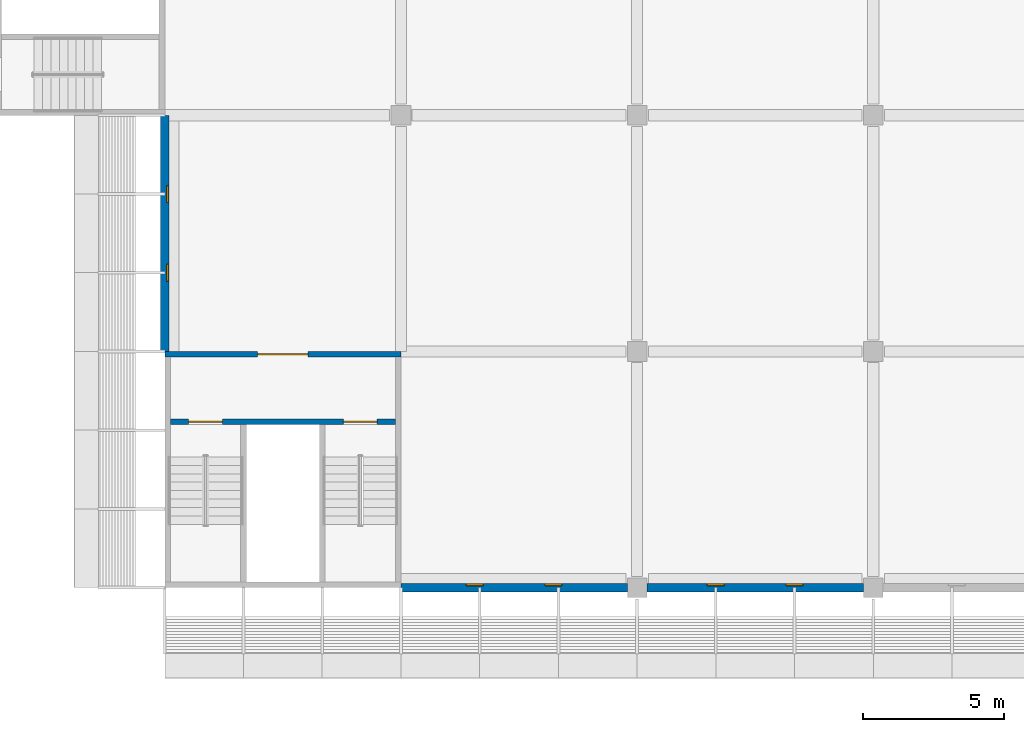
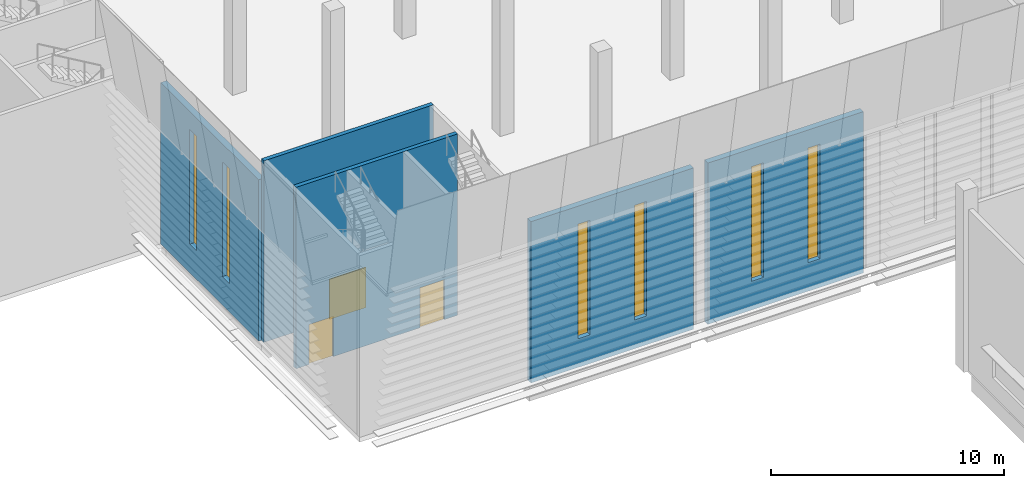
# One storey, part 45 of 114: 6 windows, 5 walls, 3 doors, 9 openings.
"""IFC4 building model written with IfcOpenShell, lengths in metres."""

import ifcopenshell
import ifcopenshell.guid

model = None  # the IFC model being written
_history = None  # IfcOwnerHistory: only IFC2X3 demands one
_inside = {}  # id of a spatial element -> (the spatial element, [elements in it])
_under = {}  # id of a project, library or spatial element -> (it, [spatial elements below it])
_declared = {}  # id of a project -> (the project, [libraries it declares])
_typed = {}  # id of a type object -> (the type object, [elements of that type])
_made_of = {}  # id of a material, layer set ... -> (it, [elements and type objects made of it])


def new_model(schema):
    """Start an empty IFC model of exactly this schema.

    Asked for "IFC4X3", IfcOpenShell would pick the latest addendum, in which some entities
    have other attributes; the version numbers below select the first issue.
    IFC2X3 requires an IfcOwnerHistory on every rooted entity: one is made here for all.
    """
    global model, _history
    if schema == "IFC4X3":
        model = ifcopenshell.file(schema_version=(4, 3, 0, 0))
    else:
        model = ifcopenshell.file(schema=schema)
    _inside.clear()
    _under.clear()
    _declared.clear()
    _typed.clear()
    _made_of.clear()
    _history = None
    if model.schema == "IFC2X3":
        org = make("IfcOrganization", Name="unknown")
        user = make(
            "IfcPersonAndOrganization",
            ThePerson=make("IfcPerson", FamilyName="unknown"),
            TheOrganization=org,
        )
        app = make(
            "IfcApplication",
            ApplicationDeveloper=org,
            Version="unknown",
            ApplicationFullName="unknown",
            ApplicationIdentifier="unknown",
        )
        _history = make(
            "IfcOwnerHistory",
            OwningUser=user,
            OwningApplication=app,
            ChangeAction="ADDED",
            CreationDate=0,
        )
    return model


def make(cls, **values):
    """One entity of the class cls with the attributes given. An attribute that is None is left unset."""
    return model.create_entity(
        cls, **{name: value for name, value in values.items() if value is not None}
    )


def rooted(cls, **values):
    """An entity with a GlobalId (a new one), such as an element, a storey or a relation."""
    return make(cls, GlobalId=ifcopenshell.guid.new(), OwnerHistory=_history, **values)


def si_unit(unit_type, name, prefix=None):
    """IfcSIUnit, for example si_unit("LENGTHUNIT", "METRE", prefix="MILLI")."""
    return make("IfcSIUnit", UnitType=unit_type, Prefix=prefix, Name=name)


def assignment(units):
    """IfcUnitAssignment: the units of a project."""
    return None if units is None else make("IfcUnitAssignment", Units=units)


def point(xyz):
    """IfcCartesianPoint."""
    return None if xyz is None else make("IfcCartesianPoint", Coordinates=xyz)


def direction(xyz):
    """IfcDirection."""
    return None if xyz is None else make("IfcDirection", DirectionRatios=xyz)


def frame(location, z_axis=None, x_axis=None):
    """IfcAxis2Placement3D, a coordinate frame: its origin and axes. An axis left out is left unset."""
    return make(
        "IfcAxis2Placement3D",
        Location=point(location),
        Axis=direction(z_axis),
        RefDirection=direction(x_axis),
    )


def frame_2d(location, x_axis=None):
    """IfcAxis2Placement2D, a coordinate frame in the plane: its origin and x axis."""
    return make(
        "IfcAxis2Placement2D", Location=point(location), RefDirection=direction(x_axis)
    )


def origin():
    """The frame at (0, 0, 0) with its axes left unset."""
    return frame((0.0, 0.0, 0.0))


def place(relative_to, where):
    """IfcLocalPlacement: puts the frame where relative to a parent placement (None: the world)."""
    return make(
        "IfcLocalPlacement", PlacementRelTo=relative_to, RelativePlacement=where
    )


def context(
    kind, dimensions, precision=None, world=None, true_north=None, identifier=None
):
    """IfcGeometricRepresentationContext, for example the 3D "Model" context."""
    return make(
        "IfcGeometricRepresentationContext",
        ContextIdentifier=identifier,
        ContextType=kind,
        CoordinateSpaceDimension=dimensions,
        Precision=precision,
        WorldCoordinateSystem=world,
        TrueNorth=true_north,
    )


def subcontext(parent, identifier, kind, view, scale=None):
    """IfcGeometricRepresentationSubContext, for example "Body" below "Model"."""
    return make(
        "IfcGeometricRepresentationSubContext",
        ContextIdentifier=identifier,
        ContextType=kind,
        ParentContext=parent,
        TargetScale=scale,
        TargetView=view,
    )


def project(units=None, contexts=None):
    """IfcProject with its units and contexts."""
    return rooted(
        "IfcProject",
        Name="project",
        RepresentationContexts=contexts,
        UnitsInContext=assignment(units),
    )


def spatial(cls, under=None, at=None, **own):
    """A site, building, storey or space (cls), placed at a placement, below another one or the project."""
    s = rooted(cls, ObjectPlacement=at, **own)
    if under is not None:
        _under.setdefault(under.id(), (under, []))[1].append(s)
    return s


def profile(cls, at=None, kind="AREA", **sizes):
    """A parametric profile (cls). Its sizes go by their IFC names, for example OverallWidth=200.0."""
    return make(cls, ProfileType=kind, Position=at, **sizes)


def rectangle(**sizes):
    """IfcRectangleProfileDef."""
    return profile("IfcRectangleProfileDef", **sizes)


def extrude(swept, where, along, depth):
    """IfcExtrudedAreaSolid: the profile swept, set in the frame where, extruded along a direction by depth."""
    return make(
        "IfcExtrudedAreaSolid",
        SweptArea=swept,
        Position=where,
        ExtrudedDirection=direction(along),
        Depth=depth,
    )


def shape(context_of_items, identifier, shape_type, items):
    """IfcShapeRepresentation: the items that make up one representation, for example the "Body"."""
    return make(
        "IfcShapeRepresentation",
        ContextOfItems=context_of_items,
        RepresentationIdentifier=identifier,
        RepresentationType=shape_type,
        Items=items,
    )


def material(Name=None, Category=None):
    """IfcMaterial."""
    return make("IfcMaterial", Name=Name, Category=Category)


def layer(
    of_material, thickness, ventilated=None, Name=None, Category=None, Priority=None
):
    """IfcMaterialLayer: one layer of a wall or slab, of a material (None: an air gap)."""
    return make(
        "IfcMaterialLayer",
        Material=of_material,
        LayerThickness=thickness,
        IsVentilated=ventilated,
        Name=Name,
        Category=Category,
        Priority=Priority,
    )


def layer_set(layers, Name=None):
    """IfcMaterialLayerSet."""
    return make("IfcMaterialLayerSet", MaterialLayers=layers, LayerSetName=Name)


def made_of(thing, what):
    """Note that an element or type object is made of a material, layer set ...; save() writes the relation."""
    if what is not None:
        _made_of.setdefault(what.id(), (what, []))[1].append(thing)
    return thing


def type_object(cls, material=None, **own):
    """A type object (cls), such as IfcWallType, which elements share."""
    return made_of(rooted(cls, **own), material)


def element(
    cls,
    number,
    at=None,
    inside=None,
    cuts=None,
    type_object=None,
    material=None,
    context=None,
    identifier="Body",
    shape_type=None,
    held_by="IfcProductDefinitionShape",
    body=None,
    shapes=None,
    **own,
):
    """One element of the class cls, such as IfcWall. Its Tag is "e" and its number.

    at: its placement. inside: the storey or other place that contains it. cuts: it is an
    opening in that element (IfcRelVoidsElement). A single representation is given by context,
    identifier, shape_type and body (its items); several are given by shapes. held_by: the class
    of the entity that holds the representations. save() writes the other relations.
    """
    e = rooted(cls, Tag="e%d" % number, ObjectPlacement=at, **own)
    if body is not None:
        shapes = [shape(context, identifier, shape_type, body)]
    if shapes is not None:
        e.Representation = make(held_by, Representations=shapes)
    if inside is not None:
        _inside.setdefault(inside.id(), (inside, []))[1].append(e)
    if cuts is not None:
        rooted(
            "IfcRelVoidsElement", RelatingBuildingElement=cuts, RelatedOpeningElement=e
        )
    if type_object is not None:
        _typed.setdefault(type_object.id(), (type_object, []))[1].append(e)
    return made_of(e, material)


def fill(opening, filler):
    """IfcRelFillsElement: the door or window that sits in an opening."""
    return rooted(
        "IfcRelFillsElement",
        RelatingOpeningElement=opening,
        RelatedBuildingElement=filler,
    )


def aggregate(whole, parts):
    """IfcRelAggregates: a whole, such as a stair, and the parts it consists of."""
    return rooted("IfcRelAggregates", RelatingObject=whole, RelatedObjects=parts)


def save(model, path):
    """Write the relations noted so far, then the file.

    IfcRelAggregates (storeys below a building ...), IfcRelContainedInSpatialStructure (elements
    in a storey), IfcRelDefinesByType, IfcRelAssociatesMaterial and IfcRelDeclares: one each for
    every whole, place, type object, material and project.
    """
    for whole, parts in _under.values():
        aggregate(whole, parts)
    for where, things in _inside.values():
        rooted(
            "IfcRelContainedInSpatialStructure",
            RelatedElements=things,
            RelatingStructure=where,
        )
    for kind, things in _typed.values():
        rooted("IfcRelDefinesByType", RelatedObjects=things, RelatingType=kind)
    for what, things in _made_of.values():
        rooted("IfcRelAssociatesMaterial", RelatedObjects=things, RelatingMaterial=what)
    for by, libraries in _declared.values():
        rooted("IfcRelDeclares", RelatingContext=by, RelatedDefinitions=libraries)
    model.write(path)


model = new_model("IFC4")

# Units and contexts
model_context = context("Model", 3, precision=1e-05, world=origin(), true_north=direction((0.0, 1.0)))
body_context = subcontext(model_context, "Body", "Model", "MODEL_VIEW")
ifc_project = project(units=[si_unit("LENGTHUNIT", "METRE"), si_unit("AREAUNIT", "SQUARE_METRE"), si_unit("VOLUMEUNIT", "CUBIC_METRE"), si_unit("PLANEANGLEUNIT", "RADIAN"), si_unit("MASSUNIT", "GRAM", prefix="KILO")], contexts=[model_context])

# Site, building, storey
site_placement = place(None, origin())
site = spatial("IfcSite", under=ifc_project, at=site_placement, CompositionType="ELEMENT")
building_placement = place(site_placement, origin())
building = spatial("IfcBuilding", under=site, at=building_placement, Name="Almond Square Museum", CompositionType="ELEMENT")
storey_placement = place(building_placement, frame((0.0, 0.0, 10.5)))
storey = spatial("IfcBuildingStorey", under=building, at=storey_placement, Name="L02", CompositionType="ELEMENT", Elevation=10.5)

# Wall, openings, windows
ifc_material_1 = material(Name="Concrete C30/37", Category="concrete")
ifc_layer_1 = layer(ifc_material_1, 0.300048828125)
ifc_layer_set_1 = layer_set([ifc_layer_1], Name="Concrete C30/37")
wall_type_1 = type_object("IfcWallType", Name="Cast concrete wall 300 C30/37 behind louvre skin", PredefinedType="SOLIDWALL", material=ifc_layer_set_1)
wall_1_placement = place(storey_placement, frame((115.199951171875, 50.39990234375, 0.0), z_axis=(0.0, 0.0, 1.0), x_axis=(1.0, 0.0, 0.0)))
wall_1 = element("IfcWall", 1, at=wall_1_placement, inside=storey, type_object=wall_type_1, Name="External wall W1 V1 L02 S01", PredefinedType="SOLIDWALL", context=body_context, shape_type="SweptSolid", body=[
    extrude(rectangle(XDim=8.050048828125, YDim=0.300048828125, at=frame_2d((4.02490234375, 0.0))), origin(), (0.0, 0.0, 1.0), 8.43994140625),
])
opening_1_placement = place(wall_1_placement, frame((2.324951171875, 0.0, 1.5)))
opening_1 = element("IfcOpeningElement", 2, at=opening_1_placement, cuts=wall_1, Name="Opening W2075", PredefinedType="OPENING", context=body_context, shape_type="SweptSolid", body=[
    extrude(rectangle(XDim=0.60009765625, YDim=6.0, at=frame_2d((0.300048828125, 3.0))), frame((0.0, 0.159912109375, 0.0), z_axis=(0.0, -1.0, 0.0), x_axis=(1.0, 0.0, 0.0)), (0.0, 0.0, 1.0), 0.320068359375),
])
opening_2_placement = place(wall_1_placement, frame((5.125, 0.0, 1.5)))
opening_2 = element("IfcOpeningElement", 3, at=opening_2_placement, cuts=wall_1, Name="Opening W2076", PredefinedType="OPENING", context=body_context, shape_type="SweptSolid", body=[
    extrude(rectangle(XDim=0.60009765625, YDim=6.0, at=frame_2d((0.300048828125, 3.0))), frame((0.0, 0.159912109375, 0.0), z_axis=(0.0, -1.0, 0.0), x_axis=(1.0, 0.0, 0.0)), (0.0, 0.0, 1.0), 0.320068359375),
])
ifc_material_2 = material(Name="Anodised aluminium louvre and laminated glass", Category="aluminium")
window_type = type_object("IfcWindowType", Name="Tall slot window with storm louvre", PartitioningType="SINGLE_PANEL", PredefinedType="WINDOW", material=ifc_material_2)
window_1_placement = place(opening_1_placement, origin())
window_1 = element("IfcWindow", 4, at=window_1_placement, inside=storey, type_object=window_type, Name="Tall slot window with storm louvre W2075", OverallHeight=6.0, OverallWidth=0.60009765625, PartitioningType="SINGLE_PANEL", PredefinedType="WINDOW", context=body_context, shape_type="SweptSolid", body=[
    extrude(rectangle(XDim=0.60009765625, YDim=6.0, at=frame_2d((0.300048828125, 3.0))), frame((0.0, 0.130126953125, 0.0), z_axis=(0.0, -1.0, 0.0), x_axis=(1.0, 0.0, 0.0)), (0.0, 0.0, 1.0), 0.06005859375),
])
fill(opening_1, window_1)
window_2_placement = place(opening_2_placement, origin())
window_2 = element("IfcWindow", 5, at=window_2_placement, inside=storey, type_object=window_type, Name="Tall slot window with storm louvre W2076", OverallHeight=6.0, OverallWidth=0.60009765625, PartitioningType="SINGLE_PANEL", PredefinedType="WINDOW", context=body_context, shape_type="SweptSolid", body=[
    extrude(rectangle(XDim=0.60009765625, YDim=6.0, at=frame_2d((0.300048828125, 3.0))), frame((0.0, 0.130126953125, 0.0), z_axis=(0.0, -1.0, 0.0), x_axis=(1.0, 0.0, 0.0)), (0.0, 0.0, 1.0), 0.06005859375),
])
fill(opening_2, window_2)

wall_2_placement = place(storey_placement, frame((123.949951171875, 50.39990234375, 0.0), z_axis=(0.0, 0.0, 1.0), x_axis=(1.0, 0.0, 0.0)))
wall_2 = element("IfcWall", 6, at=wall_2_placement, inside=storey, type_object=wall_type_1, Name="External wall W1 V1 L02 S02", PredefinedType="SOLIDWALL", context=body_context, shape_type="SweptSolid", body=[
    extrude(rectangle(XDim=7.699951171875, YDim=0.300048828125, at=frame_2d((3.85009765625, 0.0))), origin(), (0.0, 0.0, 1.0), 8.43994140625),
])
opening_3_placement = place(wall_2_placement, frame((2.14990234375, 0.0, 1.5)))
opening_3 = element("IfcOpeningElement", 7, at=opening_3_placement, cuts=wall_2, Name="Opening W2077", PredefinedType="OPENING", context=body_context, shape_type="SweptSolid", body=[
    extrude(rectangle(XDim=0.60009765625, YDim=6.0, at=frame_2d((0.300048828125, 3.0))), frame((0.0, 0.159912109375, 0.0), z_axis=(0.0, -1.0, 0.0), x_axis=(1.0, 0.0, 0.0)), (0.0, 0.0, 1.0), 0.320068359375),
])
opening_4_placement = place(wall_2_placement, frame((4.949951171875, 0.0, 1.5)))
opening_4 = element("IfcOpeningElement", 8, at=opening_4_placement, cuts=wall_2, Name="Opening W2078", PredefinedType="OPENING", context=body_context, shape_type="SweptSolid", body=[
    extrude(rectangle(XDim=0.60009765625, YDim=6.0, at=frame_2d((0.300048828125, 3.0))), frame((0.0, 0.159912109375, 0.0), z_axis=(0.0, -1.0, 0.0), x_axis=(1.0, 0.0, 0.0)), (0.0, 0.0, 1.0), 0.320068359375),
])
window_3_placement = place(opening_3_placement, origin())
window_3 = element("IfcWindow", 9, at=window_3_placement, inside=storey, type_object=window_type, Name="Tall slot window with storm louvre W2077", OverallHeight=6.0, OverallWidth=0.60009765625, PartitioningType="SINGLE_PANEL", PredefinedType="WINDOW", context=body_context, shape_type="SweptSolid", body=[
    extrude(rectangle(XDim=0.60009765625, YDim=6.0, at=frame_2d((0.300048828125, 3.0))), frame((0.0, 0.130126953125, 0.0), z_axis=(0.0, -1.0, 0.0), x_axis=(1.0, 0.0, 0.0)), (0.0, 0.0, 1.0), 0.06005859375),
])
fill(opening_3, window_3)
window_4_placement = place(opening_4_placement, origin())
window_4 = element("IfcWindow", 10, at=window_4_placement, inside=storey, type_object=window_type, Name="Tall slot window with storm louvre W2078", OverallHeight=6.0, OverallWidth=0.60009765625, PartitioningType="SINGLE_PANEL", PredefinedType="WINDOW", context=body_context, shape_type="SweptSolid", body=[
    extrude(rectangle(XDim=0.60009765625, YDim=6.0, at=frame_2d((0.300048828125, 3.0))), frame((0.0, 0.130126953125, 0.0), z_axis=(0.0, -1.0, 0.0), x_axis=(1.0, 0.0, 0.0)), (0.0, 0.0, 1.0), 0.06005859375),
])
fill(opening_4, window_4)

wall_3_placement = place(storey_placement, frame((106.800048828125, 58.800048828125, 0.0), z_axis=(0.0, 0.0, 1.0), x_axis=(0.0, 1.0, 0.0)))
wall_3 = element("IfcWall", 11, at=wall_3_placement, inside=storey, type_object=wall_type_1, Name="External wall W1 V1 L02 W01", PredefinedType="SOLIDWALL", context=body_context, shape_type="SweptSolid", body=[
    extrude(rectangle(XDim=8.39990234375, YDim=0.300048828125, at=frame_2d((4.199951171875, 0.0))), origin(), (0.0, 0.0, 1.0), 8.43994140625),
])
opening_5_placement = place(wall_3_placement, frame((2.5, 0.0, 1.5)))
opening_5 = element("IfcOpeningElement", 12, at=opening_5_placement, cuts=wall_3, Name="Opening W2115", PredefinedType="OPENING", context=body_context, shape_type="SweptSolid", body=[
    extrude(rectangle(XDim=0.60009765625, YDim=6.0, at=frame_2d((0.300048828125, 3.0))), frame((0.0, 0.159912109375, 0.0), z_axis=(0.0, -1.0, 0.0), x_axis=(1.0, 0.0, 0.0)), (0.0, 0.0, 1.0), 0.320068359375),
])
opening_6_placement = place(wall_3_placement, frame((5.300048828125, 0.0, 1.5)))
opening_6 = element("IfcOpeningElement", 13, at=opening_6_placement, cuts=wall_3, Name="Opening W2116", PredefinedType="OPENING", context=body_context, shape_type="SweptSolid", body=[
    extrude(rectangle(XDim=0.60009765625, YDim=6.0, at=frame_2d((0.300048828125, 3.0))), frame((0.0, 0.159912109375, 0.0), z_axis=(0.0, -1.0, 0.0), x_axis=(1.0, 0.0, 0.0)), (0.0, 0.0, 1.0), 0.320068359375),
])
window_5_placement = place(opening_5_placement, origin())
window_5 = element("IfcWindow", 14, at=window_5_placement, inside=storey, type_object=window_type, Name="Tall slot window with storm louvre W2115", OverallHeight=6.0, OverallWidth=0.60009765625, PartitioningType="SINGLE_PANEL", PredefinedType="WINDOW", context=body_context, shape_type="SweptSolid", body=[
    extrude(rectangle(XDim=0.60009765625, YDim=6.0, at=frame_2d((0.300048828125, 3.0))), frame((0.0, -0.070068359375, 0.0), z_axis=(0.0, -1.0, 0.0), x_axis=(1.0, 0.0, 0.0)), (0.0, 0.0, 1.0), 0.06005859375),
])
fill(opening_5, window_5)
window_6_placement = place(opening_6_placement, origin())
window_6 = element("IfcWindow", 15, at=window_6_placement, inside=storey, type_object=window_type, Name="Tall slot window with storm louvre W2116", OverallHeight=6.0, OverallWidth=0.60009765625, PartitioningType="SINGLE_PANEL", PredefinedType="WINDOW", context=body_context, shape_type="SweptSolid", body=[
    extrude(rectangle(XDim=0.60009765625, YDim=6.0, at=frame_2d((0.300048828125, 3.0))), frame((0.0, -0.070068359375, 0.0), z_axis=(0.0, -1.0, 0.0), x_axis=(1.0, 0.0, 0.0)), (0.0, 0.0, 1.0), 0.06005859375),
])
fill(opening_6, window_6)

# Wall, opening, door
ifc_material_3 = material(Name="Concrete C40/50", Category="concrete")
ifc_layer_2 = layer(ifc_material_3, 0.199951171875)
ifc_layer_set_2 = layer_set([ifc_layer_2], Name="Concrete C40/50")
wall_type_2 = type_object("IfcWallType", Name="RC shear wall 200 C40/50", PredefinedType="SHEAR", material=ifc_layer_set_2)
wall_4_placement = place(storey_placement, frame((106.800048828125, 58.699951171875, 0.0), z_axis=(0.0, 0.0, 1.0), x_axis=(1.0, 0.0, 0.0)))
wall_4 = element("IfcWall", 16, at=wall_4_placement, inside=storey, type_object=wall_type_2, Name="Core H1 north wall L02", PredefinedType="SHEAR", context=body_context, shape_type="SweptSolid", body=[
    extrude(rectangle(XDim=8.39990234375, YDim=0.199951171875, at=frame_2d((4.199951171875, 0.0))), origin(), (0.0, 0.0, 1.0), 9.5),
])
opening_7_placement = place(wall_4_placement, frame((3.300048828125, 0.0, 0.0)))
opening_7 = element("IfcOpeningElement", 17, at=opening_7_placement, cuts=wall_4, Name="Opening D2127", PredefinedType="OPENING", context=body_context, shape_type="SweptSolid", body=[
    extrude(rectangle(XDim=1.800048828125, YDim=2.10009765625, at=frame_2d((0.89990234375, 1.050048828125))), frame((0.0, 0.10986328125, 0.0), z_axis=(0.0, -1.0, 0.0), x_axis=(1.0, 0.0, 0.0)), (0.0, 0.0, 1.0), 0.219970703125),
])
ifc_material_4 = material(Name="Steel", Category="steel")
door_type_1 = type_object("IfcDoorType", Name="Fire door 1800 x 2100 FD60 double", OperationType="NOTDEFINED", PredefinedType="DOOR", material=ifc_material_4)
door_1_placement = place(opening_7_placement, origin())
door_1 = element("IfcDoor", 18, at=door_1_placement, inside=storey, type_object=door_type_1, Name="L02 stair core H1 lobby door", OperationType="DOUBLE_DOOR_SINGLE_SWING", OverallHeight=2.10009765625, OverallWidth=1.800048828125, PredefinedType="DOOR", context=body_context, shape_type="SweptSolid", body=[
    extrude(rectangle(XDim=1.800048828125, YDim=2.10009765625, at=frame_2d((0.89990234375, 1.050048828125))), frame((0.0, 0.02490234375, 0.0), z_axis=(0.0, -1.0, 0.0), x_axis=(1.0, 0.0, 0.0)), (0.0, 0.0, 1.0), 0.050048828125),
])
fill(opening_7, door_1)

# Wall, openings, doors
wall_5_placement = place(storey_placement, frame((107.0, 56.300048828125, 0.0), z_axis=(0.0, 0.0, 1.0), x_axis=(1.0, 0.0, 0.0)))
wall_5 = element("IfcWall", 19, at=wall_5_placement, inside=storey, type_object=wall_type_2, Name="Core H1 lobby wall L02", PredefinedType="SHEAR", context=body_context, shape_type="SweptSolid", body=[
    extrude(rectangle(XDim=8.0, YDim=0.199951171875, at=frame_2d((4.0, 0.0))), origin(), (0.0, 0.0, 1.0), 9.5),
])
opening_8_placement = place(wall_5_placement, frame((0.64990234375, 0.0, 0.0)))
opening_8 = element("IfcOpeningElement", 20, at=opening_8_placement, cuts=wall_5, Name="Opening D2128", PredefinedType="OPENING", context=body_context, shape_type="SweptSolid", body=[
    extrude(rectangle(XDim=1.199951171875, YDim=2.10009765625, at=frame_2d((0.60009765625, 1.050048828125))), frame((0.0, 0.10986328125, 0.0), z_axis=(0.0, -1.0, 0.0), x_axis=(1.0, 0.0, 0.0)), (0.0, 0.0, 1.0), 0.219970703125),
])
opening_9_placement = place(wall_5_placement, frame((6.14990234375, 0.0, 0.0)))
opening_9 = element("IfcOpeningElement", 21, at=opening_9_placement, cuts=wall_5, Name="Opening D2129", PredefinedType="OPENING", context=body_context, shape_type="SweptSolid", body=[
    extrude(rectangle(XDim=1.199951171875, YDim=2.10009765625, at=frame_2d((0.60009765625, 1.050048828125))), frame((0.0, 0.10986328125, 0.0), z_axis=(0.0, -1.0, 0.0), x_axis=(1.0, 0.0, 0.0)), (0.0, 0.0, 1.0), 0.219970703125),
])
ifc_material_5 = material(Name="Steel", Category="steel")
door_type_2 = type_object("IfcDoorType", Name="Fire door 1200 x 2100 FD120 stair", OperationType="NOTDEFINED", PredefinedType="DOOR", material=ifc_material_5)
door_2_placement = place(opening_8_placement, origin())
door_2 = element("IfcDoor", 22, at=door_2_placement, inside=storey, type_object=door_type_2, Name="L02 stair H1-1 door", OperationType="SINGLE_SWING_LEFT", OverallHeight=2.10009765625, OverallWidth=1.199951171875, PredefinedType="DOOR", context=body_context, shape_type="SweptSolid", body=[
    extrude(rectangle(XDim=1.199951171875, YDim=2.10009765625, at=frame_2d((0.60009765625, 1.050048828125))), frame((0.0, 0.02490234375, 0.0), z_axis=(0.0, -1.0, 0.0), x_axis=(1.0, 0.0, 0.0)), (0.0, 0.0, 1.0), 0.050048828125),
])
fill(opening_8, door_2)
door_3_placement = place(opening_9_placement, origin())
door_3 = element("IfcDoor", 23, at=door_3_placement, inside=storey, type_object=door_type_2, Name="L02 stair H1-2 door", OperationType="SINGLE_SWING_RIGHT", OverallHeight=2.10009765625, OverallWidth=1.199951171875, PredefinedType="DOOR", context=body_context, shape_type="SweptSolid", body=[
    extrude(rectangle(XDim=1.199951171875, YDim=2.10009765625, at=frame_2d((0.60009765625, 1.050048828125))), frame((0.0, 0.02490234375, 0.0), z_axis=(0.0, -1.0, 0.0), x_axis=(1.0, 0.0, 0.0)), (0.0, 0.0, 1.0), 0.050048828125),
])
fill(opening_9, door_3)

save(model, "model.ifc")
